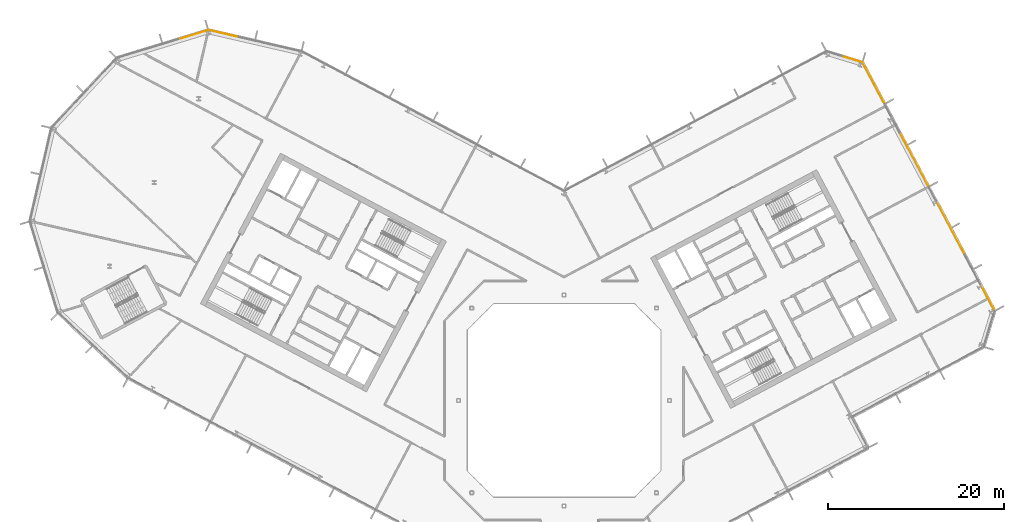
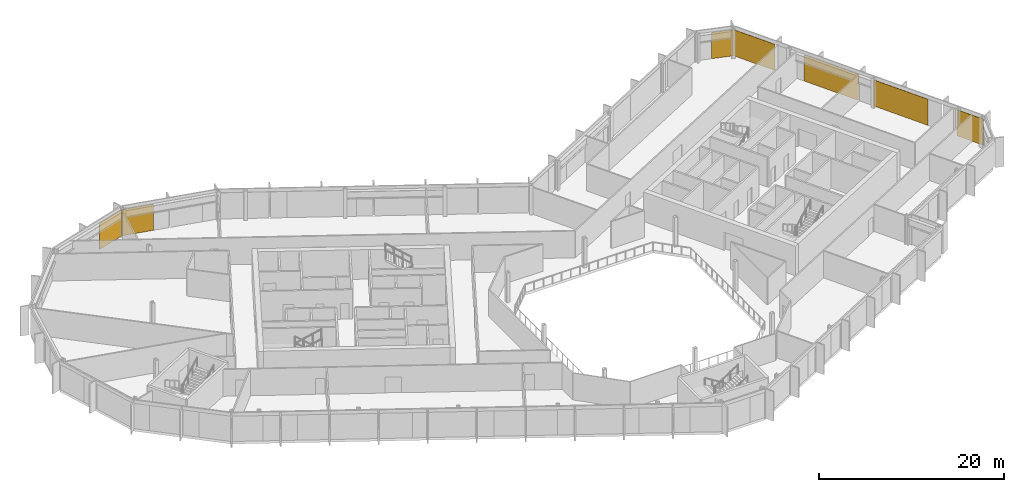
# One storey, part 26 of 26: 7 coverings, 4 elements without a shape of their own.
"""IFC4 building model written with IfcOpenShell, lengths in metres."""

from ifc_helpers import new_model, si_unit, direction, frame, origin, origin_2d, place, context, subcontext, project, spatial, rectangle, extrude, material, layer, layer_set, type_object, element, aggregate, save


model = new_model("IFC4")

# Units and contexts
model_context = context("Model", 3, precision=1e-05, world=origin(), true_north=direction((0.0, 1.0)))
body_context = subcontext(model_context, "Body", "Model", "MODEL_VIEW")
ifc_project = project(units=[si_unit("LENGTHUNIT", "METRE"), si_unit("AREAUNIT", "SQUARE_METRE"), si_unit("VOLUMEUNIT", "CUBIC_METRE"), si_unit("PLANEANGLEUNIT", "RADIAN"), si_unit("MASSUNIT", "GRAM", prefix="KILO")], contexts=[model_context])

# Site, building, storey
site_placement = place(None, origin())
site = spatial("IfcSite", under=ifc_project, at=site_placement, CompositionType="ELEMENT")
building_placement = place(site_placement, origin())
building = spatial("IfcBuilding", under=site, at=building_placement, Name="Cormorant Relay Tower", CompositionType="ELEMENT")
storey_placement = place(building_placement, frame((0.0, 0.0, 244.199951171875)))
storey = spatial("IfcBuildingStorey", under=building, at=storey_placement, Name="L54", CompositionType="ELEMENT", Elevation=244.199951171875)

# Curtain wall, coverings
ifc_material_1 = material(Name="Aluminium 6063-T6 anodised bronze", Category="aluminium")
ifc_layer_1 = layer(ifc_material_1, 0.199951171875)
ifc_layer_set_1 = layer_set([ifc_layer_1], Name="CW1 unitised bronze curtain wall with vertical fins")
curtain_wall_type = type_object("IfcCurtainWallType", Name="CW1 unitised bronze curtain wall with vertical fins", PredefinedType="NOTDEFINED", material=ifc_layer_set_1)
curtain_wall_1_placement = place(storey_placement, origin())
curtain_wall_1 = element("IfcCurtainWall", 1, at=curtain_wall_1_placement, inside=storey, type_object=curtain_wall_type, Name="CW1 curtain wall 6", PredefinedType="NOTDEFINED")
ifc_material_2 = material(Name="Pale bronze anodised aluminium insulated panel", Category="aluminium")
ifc_layer_2 = layer(ifc_material_2, 0.0400390625)
ifc_layer_set_2 = layer_set([ifc_layer_2], Name="CW1 pale bronze insulated panel 40")
covering_type = type_object("IfcCoveringType", Name="CW1 pale bronze insulated panel 40", PredefinedType="CLADDING", material=ifc_layer_set_2)
covering_1_placement = place(storey_placement, frame((48.142333984375, 11.74267578125, 0.0), z_axis=(0.0, 0.0, 1.0), x_axis=(-0.469471562786, 0.882947592859, 0.0)))
covering_1 = element("IfcCovering", 2, at=covering_1_placement, type_object=covering_type, Name="CW1 panel S00", PredefinedType="CLADDING", context=body_context, shape_type="SweptSolid", body=[
    extrude(rectangle(XDim=3.38330078125, YDim=0.0400390625, at=origin_2d()), origin(), (0.0, 0.0, 1.0), 3.449951171875),
])
covering_2_placement = place(storey_placement, frame((43.964111328125, 19.600830078125, 0.0), z_axis=(0.0, 0.0, 1.0), x_axis=(-0.469471562786, 0.882947592859, 0.0)))
covering_2 = element("IfcCovering", 3, at=covering_2_placement, type_object=covering_type, Name="CW1 panel S03", PredefinedType="CLADDING", context=body_context, shape_type="SweptSolid", body=[
    extrude(rectangle(XDim=6.916748046875, YDim=0.0400390625, at=origin_2d()), origin(), (0.0, 0.0, 1.0), 3.449951171875),
])
covering_3_placement = place(storey_placement, frame((39.801513671875, 27.4296875, 0.0), z_axis=(0.0, 0.0, 1.0), x_axis=(-0.469471562786, 0.882947592859, 0.0)))
covering_3 = element("IfcCovering", 4, at=covering_3_placement, type_object=covering_type, Name="CW1 panel S05", PredefinedType="CLADDING", context=body_context, shape_type="SweptSolid", body=[
    extrude(rectangle(XDim=6.916748046875, YDim=0.0400390625, at=origin_2d()), origin(), (0.0, 0.0, 1.0), 3.449951171875),
])
covering_4_placement = place(storey_placement, frame((35.18310546875, 36.11572265625, 0.0), z_axis=(0.0, 0.0, 1.0), x_axis=(-0.469471562786, 0.882947592859, 0.0)))
covering_4 = element("IfcCovering", 5, at=covering_4_placement, type_object=covering_type, Name="CW1 panel S07", PredefinedType="CLADDING", context=body_context, shape_type="SweptSolid", body=[
    extrude(rectangle(XDim=5.25830078125, YDim=0.0400390625, at=origin_2d()), origin(), (0.0, 0.0, 1.0), 3.449951171875),
])
aggregate(curtain_wall_1, [covering_1, covering_2, covering_3, covering_4])

# Curtain wall, covering
curtain_wall_2_placement = place(storey_placement, origin())
curtain_wall_2 = element("IfcCurtainWall", 6, at=curtain_wall_2_placement, inside=storey, type_object=curtain_wall_type, Name="CW1 curtain wall 7", PredefinedType="NOTDEFINED")
covering_5_placement = place(storey_placement, frame((32.73291015625, 38.81494140625, 0.0), z_axis=(0.0, 0.0, 1.0), x_axis=(-0.956304755963, 0.292371704723, 0.0)))
covering_5 = element("IfcCovering", 7, at=covering_5_placement, type_object=covering_type, Name="CW1 panel S00", PredefinedType="CLADDING", context=body_context, shape_type="SweptSolid", body=[
    extrude(rectangle(XDim=2.36767578125, YDim=0.0400390625, at=origin_2d()), origin(), (0.0, 0.0, 1.0), 3.449951171875),
])
aggregate(curtain_wall_2, [covering_5])

curtain_wall_3_placement = place(storey_placement, origin())
curtain_wall_3 = element("IfcCurtainWall", 8, at=curtain_wall_3_placement, inside=storey, type_object=curtain_wall_type, Name="CW1 curtain wall 10", PredefinedType="NOTDEFINED")
covering_6_placement = place(storey_placement, frame((-38.7265625, 41.732421875, 0.0), z_axis=(0.0, 0.0, 1.0), x_axis=(-0.974370064785, 0.224951054344, 0.0)))
covering_6 = element("IfcCovering", 9, at=covering_6_placement, type_object=covering_type, Name="CW1 panel S03", PredefinedType="CLADDING", context=body_context, shape_type="SweptSolid", body=[
    extrude(rectangle(XDim=3.560302734375, YDim=0.0400390625, at=origin_2d()), origin(), (0.0, 0.0, 1.0), 3.449951171875),
])
aggregate(curtain_wall_3, [covering_6])

curtain_wall_4_placement = place(storey_placement, origin())
curtain_wall_4 = element("IfcCurtainWall", 10, at=curtain_wall_4_placement, inside=storey, type_object=curtain_wall_type, Name="CW1 curtain wall 11", PredefinedType="NOTDEFINED")
covering_7_placement = place(storey_placement, frame((-42.209716796875, 41.60107421875, 0.0), z_axis=(0.0, 0.0, 1.0), x_axis=(-0.956304755963, -0.292371704723, 0.0)))
covering_7 = element("IfcCovering", 11, at=covering_7_placement, type_object=covering_type, Name="CW1 panel S00", PredefinedType="CLADDING", context=body_context, shape_type="SweptSolid", body=[
    extrude(rectangle(XDim=3.485107421875, YDim=0.0400390625, at=origin_2d()), origin(), (0.0, 0.0, 1.0), 3.449951171875),
])
aggregate(curtain_wall_4, [covering_7])

save(model, "model.ifc")
